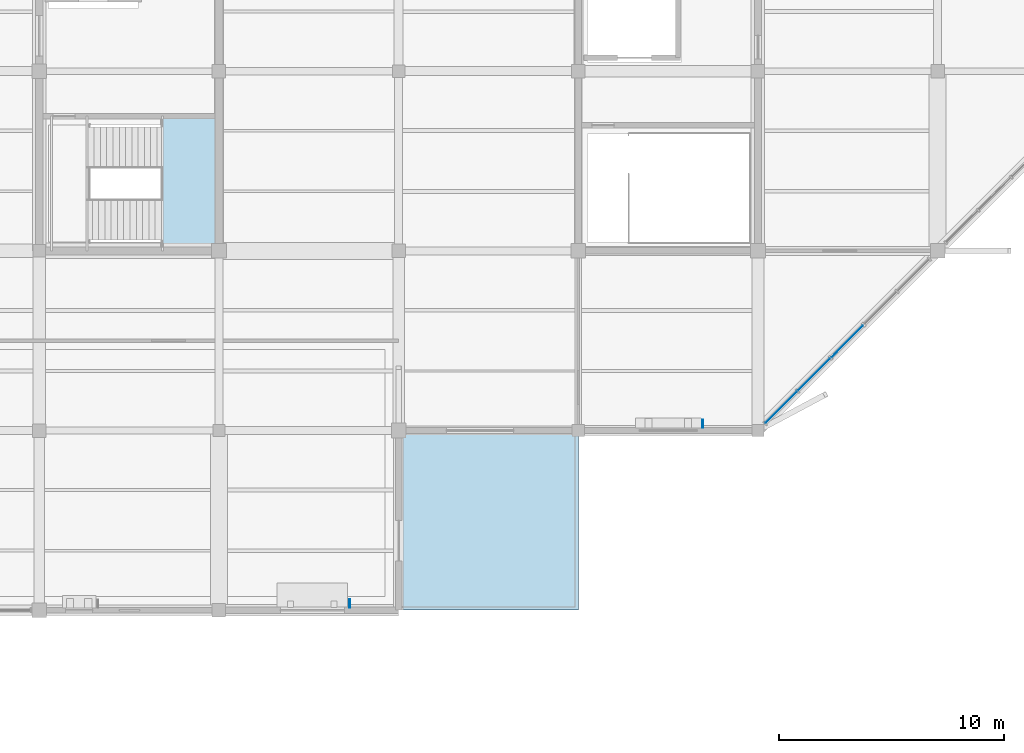
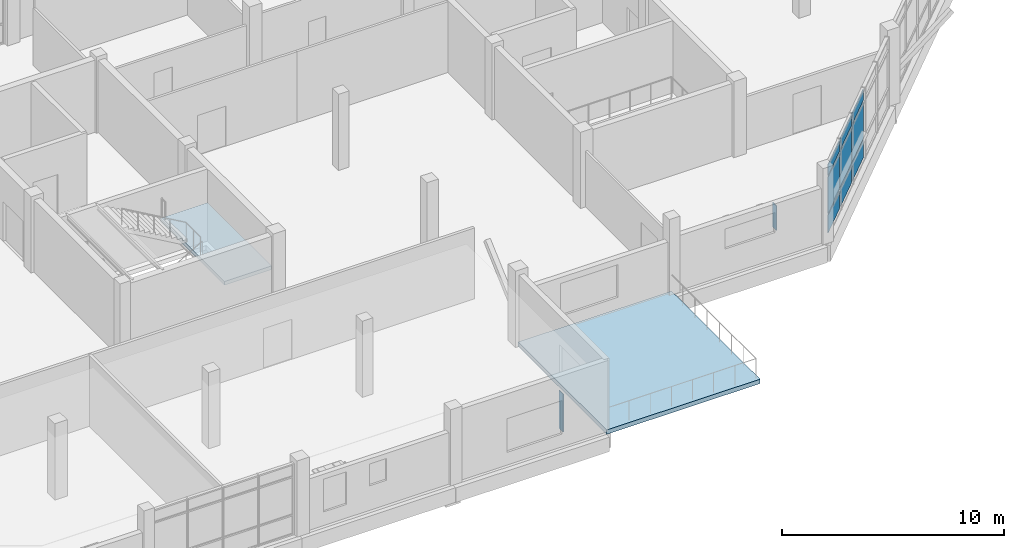
# One storey, part 53 of 72: 11 plates, 2 slabs, 2 elements without a shape of their own.
"""IFC4 building model written with IfcOpenShell, lengths in metres."""

import ifcopenshell
import ifcopenshell.guid

model = None  # the IFC model being written
_history = None  # IfcOwnerHistory: only IFC2X3 demands one
_inside = {}  # id of a spatial element -> (the spatial element, [elements in it])
_under = {}  # id of a project, library or spatial element -> (it, [spatial elements below it])
_declared = {}  # id of a project -> (the project, [libraries it declares])
_typed = {}  # id of a type object -> (the type object, [elements of that type])
_made_of = {}  # id of a material, layer set ... -> (it, [elements and type objects made of it])


def new_model(schema):
    """Start an empty IFC model of exactly this schema.

    Asked for "IFC4X3", IfcOpenShell would pick the latest addendum, in which some entities
    have other attributes; the version numbers below select the first issue.
    IFC2X3 requires an IfcOwnerHistory on every rooted entity: one is made here for all.
    """
    global model, _history
    if schema == "IFC4X3":
        model = ifcopenshell.file(schema_version=(4, 3, 0, 0))
    else:
        model = ifcopenshell.file(schema=schema)
    _inside.clear()
    _under.clear()
    _declared.clear()
    _typed.clear()
    _made_of.clear()
    _history = None
    if model.schema == "IFC2X3":
        org = make("IfcOrganization", Name="unknown")
        user = make(
            "IfcPersonAndOrganization",
            ThePerson=make("IfcPerson", FamilyName="unknown"),
            TheOrganization=org,
        )
        app = make(
            "IfcApplication",
            ApplicationDeveloper=org,
            Version="unknown",
            ApplicationFullName="unknown",
            ApplicationIdentifier="unknown",
        )
        _history = make(
            "IfcOwnerHistory",
            OwningUser=user,
            OwningApplication=app,
            ChangeAction="ADDED",
            CreationDate=0,
        )
    return model


def make(cls, **values):
    """One entity of the class cls with the attributes given. An attribute that is None is left unset."""
    return model.create_entity(
        cls, **{name: value for name, value in values.items() if value is not None}
    )


def rooted(cls, **values):
    """An entity with a GlobalId (a new one), such as an element, a storey or a relation."""
    return make(cls, GlobalId=ifcopenshell.guid.new(), OwnerHistory=_history, **values)


def si_unit(unit_type, name, prefix=None):
    """IfcSIUnit, for example si_unit("LENGTHUNIT", "METRE", prefix="MILLI")."""
    return make("IfcSIUnit", UnitType=unit_type, Prefix=prefix, Name=name)


def assignment(units):
    """IfcUnitAssignment: the units of a project."""
    return None if units is None else make("IfcUnitAssignment", Units=units)


def point(xyz):
    """IfcCartesianPoint."""
    return None if xyz is None else make("IfcCartesianPoint", Coordinates=xyz)


def direction(xyz):
    """IfcDirection."""
    return None if xyz is None else make("IfcDirection", DirectionRatios=xyz)


def frame(location, z_axis=None, x_axis=None):
    """IfcAxis2Placement3D, a coordinate frame: its origin and axes. An axis left out is left unset."""
    return make(
        "IfcAxis2Placement3D",
        Location=point(location),
        Axis=direction(z_axis),
        RefDirection=direction(x_axis),
    )


def frame_2d(location, x_axis=None):
    """IfcAxis2Placement2D, a coordinate frame in the plane: its origin and x axis."""
    return make(
        "IfcAxis2Placement2D", Location=point(location), RefDirection=direction(x_axis)
    )


def origin():
    """The frame at (0, 0, 0) with its axes left unset."""
    return frame((0.0, 0.0, 0.0))


def origin_2d():
    """The frame at (0, 0) in the plane with its x axis left unset."""
    return frame_2d((0.0, 0.0))


def place(relative_to, where):
    """IfcLocalPlacement: puts the frame where relative to a parent placement (None: the world)."""
    return make(
        "IfcLocalPlacement", PlacementRelTo=relative_to, RelativePlacement=where
    )


def context(
    kind, dimensions, precision=None, world=None, true_north=None, identifier=None
):
    """IfcGeometricRepresentationContext, for example the 3D "Model" context."""
    return make(
        "IfcGeometricRepresentationContext",
        ContextIdentifier=identifier,
        ContextType=kind,
        CoordinateSpaceDimension=dimensions,
        Precision=precision,
        WorldCoordinateSystem=world,
        TrueNorth=true_north,
    )


def subcontext(parent, identifier, kind, view, scale=None):
    """IfcGeometricRepresentationSubContext, for example "Body" below "Model"."""
    return make(
        "IfcGeometricRepresentationSubContext",
        ContextIdentifier=identifier,
        ContextType=kind,
        ParentContext=parent,
        TargetScale=scale,
        TargetView=view,
    )


def project(units=None, contexts=None):
    """IfcProject with its units and contexts."""
    return rooted(
        "IfcProject",
        Name="project",
        RepresentationContexts=contexts,
        UnitsInContext=assignment(units),
    )


def spatial(cls, under=None, at=None, **own):
    """A site, building, storey or space (cls), placed at a placement, below another one or the project."""
    s = rooted(cls, ObjectPlacement=at, **own)
    if under is not None:
        _under.setdefault(under.id(), (under, []))[1].append(s)
    return s


def polyline(points):
    """IfcPolyline through the points."""
    return make("IfcPolyline", Points=[point(p) for p in points])


def profile(cls, at=None, kind="AREA", **sizes):
    """A parametric profile (cls). Its sizes go by their IFC names, for example OverallWidth=200.0."""
    return make(cls, ProfileType=kind, Position=at, **sizes)


def rectangle(**sizes):
    """IfcRectangleProfileDef."""
    return profile("IfcRectangleProfileDef", **sizes)


def outline(outer, holes=None, kind="AREA"):
    """IfcArbitraryClosedProfileDef: a profile drawn as a closed curve; with holes, ...WithVoids."""
    if holes is None:
        return make("IfcArbitraryClosedProfileDef", ProfileType=kind, OuterCurve=outer)
    return make(
        "IfcArbitraryProfileDefWithVoids",
        ProfileType=kind,
        OuterCurve=outer,
        InnerCurves=holes,
    )


def extrude(swept, where, along, depth):
    """IfcExtrudedAreaSolid: the profile swept, set in the frame where, extruded along a direction by depth."""
    return make(
        "IfcExtrudedAreaSolid",
        SweptArea=swept,
        Position=where,
        ExtrudedDirection=direction(along),
        Depth=depth,
    )


def shape(context_of_items, identifier, shape_type, items):
    """IfcShapeRepresentation: the items that make up one representation, for example the "Body"."""
    return make(
        "IfcShapeRepresentation",
        ContextOfItems=context_of_items,
        RepresentationIdentifier=identifier,
        RepresentationType=shape_type,
        Items=items,
    )


def material(Name=None, Category=None):
    """IfcMaterial."""
    return make("IfcMaterial", Name=Name, Category=Category)


def layer(
    of_material, thickness, ventilated=None, Name=None, Category=None, Priority=None
):
    """IfcMaterialLayer: one layer of a wall or slab, of a material (None: an air gap)."""
    return make(
        "IfcMaterialLayer",
        Material=of_material,
        LayerThickness=thickness,
        IsVentilated=ventilated,
        Name=Name,
        Category=Category,
        Priority=Priority,
    )


def layer_set(layers, Name=None):
    """IfcMaterialLayerSet."""
    return make("IfcMaterialLayerSet", MaterialLayers=layers, LayerSetName=Name)


def made_of(thing, what):
    """Note that an element or type object is made of a material, layer set ...; save() writes the relation."""
    if what is not None:
        _made_of.setdefault(what.id(), (what, []))[1].append(thing)
    return thing


def type_object(cls, material=None, **own):
    """A type object (cls), such as IfcWallType, which elements share."""
    return made_of(rooted(cls, **own), material)


def element(
    cls,
    number,
    at=None,
    inside=None,
    cuts=None,
    type_object=None,
    material=None,
    context=None,
    identifier="Body",
    shape_type=None,
    held_by="IfcProductDefinitionShape",
    body=None,
    shapes=None,
    **own,
):
    """One element of the class cls, such as IfcWall. Its Tag is "e" and its number.

    at: its placement. inside: the storey or other place that contains it. cuts: it is an
    opening in that element (IfcRelVoidsElement). A single representation is given by context,
    identifier, shape_type and body (its items); several are given by shapes. held_by: the class
    of the entity that holds the representations. save() writes the other relations.
    """
    e = rooted(cls, Tag="e%d" % number, ObjectPlacement=at, **own)
    if body is not None:
        shapes = [shape(context, identifier, shape_type, body)]
    if shapes is not None:
        e.Representation = make(held_by, Representations=shapes)
    if inside is not None:
        _inside.setdefault(inside.id(), (inside, []))[1].append(e)
    if cuts is not None:
        rooted(
            "IfcRelVoidsElement", RelatingBuildingElement=cuts, RelatedOpeningElement=e
        )
    if type_object is not None:
        _typed.setdefault(type_object.id(), (type_object, []))[1].append(e)
    return made_of(e, material)


def aggregate(whole, parts):
    """IfcRelAggregates: a whole, such as a stair, and the parts it consists of."""
    return rooted("IfcRelAggregates", RelatingObject=whole, RelatedObjects=parts)


def save(model, path):
    """Write the relations noted so far, then the file.

    IfcRelAggregates (storeys below a building ...), IfcRelContainedInSpatialStructure (elements
    in a storey), IfcRelDefinesByType, IfcRelAssociatesMaterial and IfcRelDeclares: one each for
    every whole, place, type object, material and project.
    """
    for whole, parts in _under.values():
        aggregate(whole, parts)
    for where, things in _inside.values():
        rooted(
            "IfcRelContainedInSpatialStructure",
            RelatedElements=things,
            RelatingStructure=where,
        )
    for kind, things in _typed.values():
        rooted("IfcRelDefinesByType", RelatedObjects=things, RelatingType=kind)
    for what, things in _made_of.values():
        rooted("IfcRelAssociatesMaterial", RelatedObjects=things, RelatingMaterial=what)
    for by, libraries in _declared.values():
        rooted("IfcRelDeclares", RelatingContext=by, RelatedDefinitions=libraries)
    model.write(path)


model = new_model("IFC4")

# Units and contexts
model_context = context("Model", 3, precision=1e-05, world=origin(), true_north=direction((0.0, 1.0)))
body_context = subcontext(model_context, "Body", "Model", "MODEL_VIEW")
ifc_project = project(units=[si_unit("LENGTHUNIT", "METRE"), si_unit("AREAUNIT", "SQUARE_METRE"), si_unit("VOLUMEUNIT", "CUBIC_METRE"), si_unit("PLANEANGLEUNIT", "RADIAN"), si_unit("MASSUNIT", "GRAM", prefix="KILO")], contexts=[model_context])

# Site, building, storey
site_placement = place(None, origin())
site = spatial("IfcSite", under=ifc_project, at=site_placement, CompositionType="ELEMENT")
building_placement = place(site_placement, origin())
building = spatial("IfcBuilding", under=site, at=building_placement, Name="Tenunan Teduh Sports Hall", CompositionType="ELEMENT")
storey_placement = place(building_placement, frame((0.0, 0.0, 15.0)))
storey = spatial("IfcBuildingStorey", under=building, at=storey_placement, Name="L03", CompositionType="ELEMENT", Elevation=15.0)

# Curtain wall, plates
ifc_material_1 = material(Name="Anodised aluminium", Category="aluminium")
curtain_wall_type = type_object("IfcCurtainWallType", Name="CW-UNIT-2", PredefinedType="NOTDEFINED", material=ifc_material_1)
curtain_wall_placement = place(storey_placement, origin())
curtain_wall = element("IfcCurtainWall", 1, at=curtain_wall_placement, inside=storey, type_object=curtain_wall_type, Name="CW-CWM-220-L03-221", PredefinedType="NOTDEFINED")
ifc_material_2 = material(Name="Solar-control laminated glazing", Category="glass")
ifc_layer_1 = layer(ifc_material_2, 0.031982421875)
ifc_layer_set_1 = layer_set([ifc_layer_1], Name="Solar-control laminated glazing")
plate_type_1 = type_object("IfcPlateType", Name="CWP-GLZ-32", PredefinedType="CURTAIN_PANEL", material=ifc_layer_set_1)
plate_1_placement = place(storey_placement, frame((63.0390625, 87.0390625, 1.137451171875), z_axis=(0.0, 0.0, 1.0), x_axis=(0.707101983943, 0.707111578398, 0.0)))
plate_1 = element("IfcPlate", 2, at=plate_1_placement, type_object=plate_type_1, Name="CW-02 panel 1.2", PredefinedType="CURTAIN_PANEL", context=body_context, shape_type="SweptSolid", body=[
    extrude(rectangle(XDim=1.971923828125, YDim=0.031982421875, at=origin_2d()), origin(), (0.0, 0.0, 1.0), 2.02490234375),
])
plate_2_placement = place(storey_placement, frame((63.0390625, 87.0390625, 3.237548828125), z_axis=(0.0, 0.0, 1.0), x_axis=(0.707101983943, 0.707111578398, 0.0)))
plate_2 = element("IfcPlate", 3, at=plate_2_placement, type_object=plate_type_1, Name="CW-02 panel 1.3", PredefinedType="CURTAIN_PANEL", context=body_context, shape_type="SweptSolid", body=[
    extrude(rectangle(XDim=1.971923828125, YDim=0.031982421875, at=origin_2d()), origin(), (0.0, 0.0, 1.0), 0.607421875),
])
plate_3_placement = place(storey_placement, frame((64.499755859375, 88.499755859375, 1.137451171875), z_axis=(0.0, 0.0, 1.0), x_axis=(0.707101983943, 0.707111578398, 0.0)))
plate_3 = element("IfcPlate", 4, at=plate_3_placement, type_object=plate_type_1, Name="CW-02 panel 2.2", PredefinedType="CURTAIN_PANEL", context=body_context, shape_type="SweptSolid", body=[
    extrude(rectangle(XDim=2.009521484375, YDim=0.031982421875, at=origin_2d()), origin(), (0.0, 0.0, 1.0), 2.02490234375),
])
plate_4_placement = place(storey_placement, frame((64.499755859375, 88.499755859375, 3.237548828125), z_axis=(0.0, 0.0, 1.0), x_axis=(0.707101983943, 0.707111578398, 0.0)))
plate_4 = element("IfcPlate", 5, at=plate_4_placement, type_object=plate_type_1, Name="CW-02 panel 2.3", PredefinedType="CURTAIN_PANEL", context=body_context, shape_type="SweptSolid", body=[
    extrude(rectangle(XDim=2.009521484375, YDim=0.031982421875, at=origin_2d()), origin(), (0.0, 0.0, 1.0), 0.607421875),
])
plate_5_placement = place(storey_placement, frame((65.9736328125, 89.9736328125, 1.137451171875), z_axis=(0.0, 0.0, 1.0), x_axis=(0.707101983943, 0.707111578398, 0.0)))
plate_5 = element("IfcPlate", 6, at=plate_5_placement, type_object=plate_type_1, Name="CW-02 panel 3.2", PredefinedType="CURTAIN_PANEL", context=body_context, shape_type="SweptSolid", body=[
    extrude(rectangle(XDim=2.009521484375, YDim=0.031982421875, at=origin_2d()), origin(), (0.0, 0.0, 1.0), 2.02490234375),
])
plate_6_placement = place(storey_placement, frame((65.9736328125, 89.9736328125, 3.237548828125), z_axis=(0.0, 0.0, 1.0), x_axis=(0.707101983943, 0.707111578398, 0.0)))
plate_6 = element("IfcPlate", 7, at=plate_6_placement, type_object=plate_type_1, Name="CW-02 panel 3.3", PredefinedType="CURTAIN_PANEL", context=body_context, shape_type="SweptSolid", body=[
    extrude(rectangle(XDim=2.009521484375, YDim=0.031982421875, at=origin_2d()), origin(), (0.0, 0.0, 1.0), 0.607421875),
])
ifc_material_3 = material(Name="Insulated aluminium spandrel panel", Category="aluminium")
ifc_layer_2 = layer(ifc_material_3, 0.044921875)
ifc_layer_set_2 = layer_set([ifc_layer_2], Name="Insulated aluminium spandrel panel")
plate_type_2 = type_object("IfcPlateType", Name="CWP-SPN-45", PredefinedType="CURTAIN_PANEL", material=ifc_layer_set_2)
plate_7_placement = place(storey_placement, frame((63.0390625, 87.0390625, 0.0751953125), z_axis=(0.0, 0.0, 1.0), x_axis=(0.707101983943, 0.707111578398, 0.0)))
plate_7 = element("IfcPlate", 8, at=plate_7_placement, type_object=plate_type_2, Name="CW-02 panel 1.1", PredefinedType="CURTAIN_PANEL", context=body_context, shape_type="SweptSolid", body=[
    extrude(rectangle(XDim=1.971923828125, YDim=0.031982421875, at=origin_2d()), origin(), (0.0, 0.0, 1.0), 0.987548828125),
])
plate_8_placement = place(storey_placement, frame((64.499755859375, 88.499755859375, 0.0751953125), z_axis=(0.0, 0.0, 1.0), x_axis=(0.707101983943, 0.707111578398, 0.0)))
plate_8 = element("IfcPlate", 9, at=plate_8_placement, type_object=plate_type_2, Name="CW-02 panel 2.1", PredefinedType="CURTAIN_PANEL", context=body_context, shape_type="SweptSolid", body=[
    extrude(rectangle(XDim=2.009521484375, YDim=0.031982421875, at=origin_2d()), origin(), (0.0, 0.0, 1.0), 0.987548828125),
])
plate_9_placement = place(storey_placement, frame((65.9736328125, 89.9736328125, 0.0751953125), z_axis=(0.0, 0.0, 1.0), x_axis=(0.707101983943, 0.707111578398, 0.0)))
plate_9 = element("IfcPlate", 10, at=plate_9_placement, type_object=plate_type_2, Name="CW-02 panel 3.1", PredefinedType="CURTAIN_PANEL", context=body_context, shape_type="SweptSolid", body=[
    extrude(rectangle(XDim=2.009521484375, YDim=0.031982421875, at=origin_2d()), origin(), (0.0, 0.0, 1.0), 0.987548828125),
])
aggregate(curtain_wall, [plate_7, plate_1, plate_2, plate_8, plate_3, plate_4, plate_9, plate_5, plate_6])

# Plates
ifc_material_4 = material(Name="Anodised aluminium", Category="aluminium")
ifc_layer_3 = layer(ifc_material_4, 1.89990234375)
ifc_layer_set_3 = layer_set([ifc_layer_3], Name="Anodised aluminium")
plate_type_3 = type_object("IfcPlateType", Name="PLT-FIN-1", PredefinedType="SHEET", material=ifc_layer_set_3)
plate_10_placement = place(storey_placement, frame((43.820068359375, 78.300048828125, 0.580078125), z_axis=(0.0, 0.0, 1.0), x_axis=(1.0, 0.0, 0.0)))
element("IfcPlate", 11, at=plate_10_placement, inside=storey, type_object=plate_type_3, Name="PLT-FIN-L03-056", PredefinedType="SHEET", context=body_context, shape_type="SweptSolid", body=[
    extrude(rectangle(XDim=0.0400390625, YDim=0.360107421875, at=origin_2d()), origin(), (0.0, 0.0, 1.0), 2.090087890625),
])
plate_11_placement = place(storey_placement, frame((59.544921875, 86.300048828125, 1.330078125), z_axis=(0.0, 0.0, 1.0), x_axis=(1.0, 0.0, 0.0)))
element("IfcPlate", 12, at=plate_11_placement, inside=storey, type_object=plate_type_3, Name="PLT-FIN-L03-057", PredefinedType="SHEET", context=body_context, shape_type="SweptSolid", body=[
    extrude(rectangle(XDim=0.0400390625, YDim=0.360107421875, at=origin_2d()), origin(), (0.0, 0.0, 1.0), 1.340087890625),
])

# Slab
ifc_material_5 = material(Name="Concrete C40/50", Category="concrete")
ifc_layer_4 = layer(ifc_material_5, 0.239990234375)
ifc_layer_set_4 = layer_set([ifc_layer_4], Name="Concrete C40/50")
slab_type_1 = type_object("IfcSlabType", Name="SLB-FLR-240", PredefinedType="FLOOR", material=ifc_layer_set_4)
slab_1_placement = place(storey_placement, frame((0.0, 0.0, -0.239990234375)))
element("IfcSlab", 13, at=slab_1_placement, inside=storey, type_object=slab_type_1, Name="SL-L03-TERR", PredefinedType="FLOOR", context=body_context, shape_type="SweptSolid", body=[
    extrude(outline(polyline([(46.0, 78.0), (54.0, 78.0), (54.0, 86.0), (46.0, 86.0), (46.0, 78.0)])), origin(), (0.0, 0.0, 1.0), 0.239990234375),
])

# Stair, slab
ifc_material_6 = material(Name="Precast concrete C40/50", Category="concrete")
stair_type = type_object("IfcStairType", Name="STR-CORE-54", PredefinedType="HALF_TURN_STAIR", material=ifc_material_6)
stair_placement = place(storey_placement, origin())
stair = element("IfcStair", 14, at=stair_placement, inside=storey, type_object=stair_type, Name="STR-W2-L03", PredefinedType="HALF_TURN_STAIR")
ifc_material_7 = material(Name="Precast concrete C40/50", Category="concrete")
ifc_layer_5 = layer(ifc_material_7, 0.199951171875)
ifc_layer_set_5 = layer_set([ifc_layer_5], Name="Precast concrete C40/50")
slab_type_2 = type_object("IfcSlabType", Name="SLB-LND-200", PredefinedType="LANDING", material=ifc_layer_set_5)
slab_2_placement = place(storey_placement, frame((0.0, 0.0, 1.89990234375)))
slab_2 = element("IfcSlab", 15, at=slab_2_placement, type_object=slab_type_2, Name="ST-10 landing 1", PredefinedType="LANDING", context=body_context, shape_type="SweptSolid", body=[
    extrude(outline(polyline([(35.39990234375, 94.139892578125), (37.860107421875, 94.139892578125), (37.860107421875, 99.89990234375), (35.39990234375, 99.89990234375), (35.39990234375, 94.139892578125)])), origin(), (0.0, 0.0, 1.0), 0.2001953125),
])
aggregate(stair, [slab_2])

save(model, "model.ifc")
